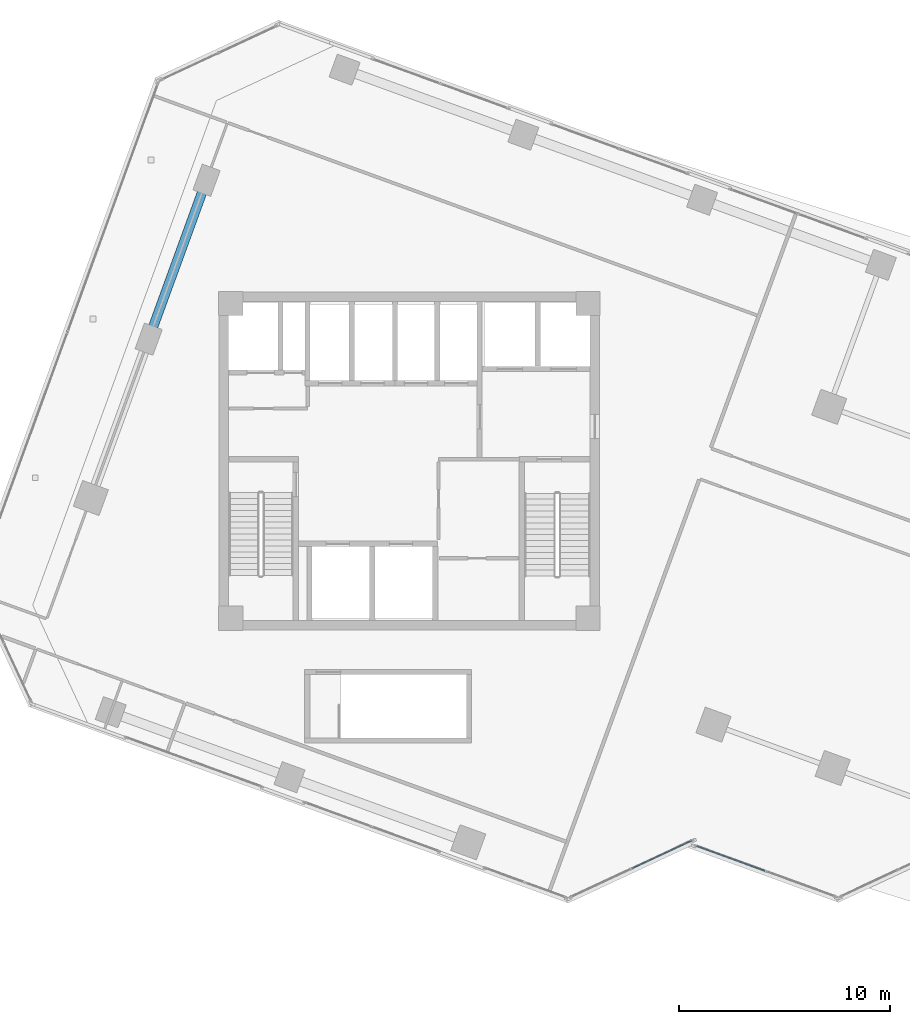
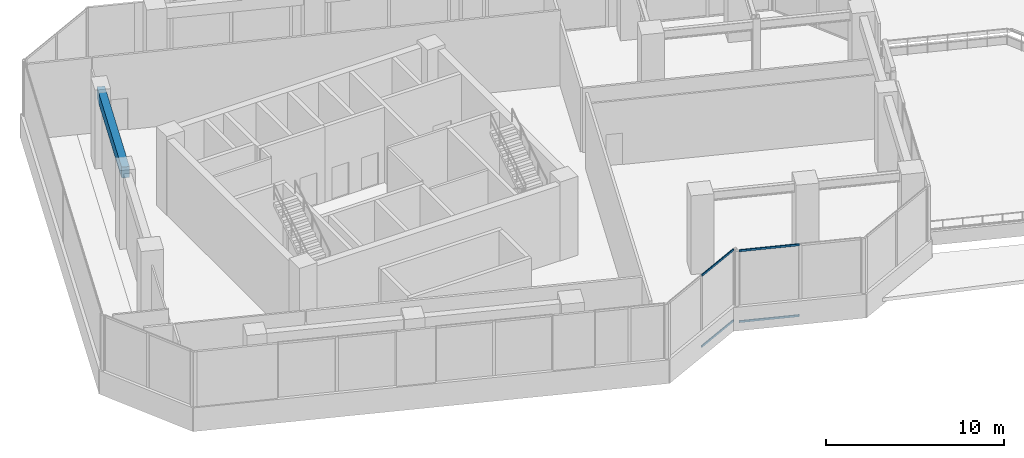
# One storey, part 7 of 21: 4 members, 1 beam, 2 elements without a shape of their own.
"""IFC4 building model written with IfcOpenShell, lengths in metres."""

import ifcopenshell
import ifcopenshell.guid

model = None  # the IFC model being written
_history = None  # IfcOwnerHistory: only IFC2X3 demands one
_inside = {}  # id of a spatial element -> (the spatial element, [elements in it])
_under = {}  # id of a project, library or spatial element -> (it, [spatial elements below it])
_declared = {}  # id of a project -> (the project, [libraries it declares])
_typed = {}  # id of a type object -> (the type object, [elements of that type])
_made_of = {}  # id of a material, layer set ... -> (it, [elements and type objects made of it])


def new_model(schema):
    """Start an empty IFC model of exactly this schema.

    Asked for "IFC4X3", IfcOpenShell would pick the latest addendum, in which some entities
    have other attributes; the version numbers below select the first issue.
    IFC2X3 requires an IfcOwnerHistory on every rooted entity: one is made here for all.
    """
    global model, _history
    if schema == "IFC4X3":
        model = ifcopenshell.file(schema_version=(4, 3, 0, 0))
    else:
        model = ifcopenshell.file(schema=schema)
    _inside.clear()
    _under.clear()
    _declared.clear()
    _typed.clear()
    _made_of.clear()
    _history = None
    if model.schema == "IFC2X3":
        org = make("IfcOrganization", Name="unknown")
        user = make(
            "IfcPersonAndOrganization",
            ThePerson=make("IfcPerson", FamilyName="unknown"),
            TheOrganization=org,
        )
        app = make(
            "IfcApplication",
            ApplicationDeveloper=org,
            Version="unknown",
            ApplicationFullName="unknown",
            ApplicationIdentifier="unknown",
        )
        _history = make(
            "IfcOwnerHistory",
            OwningUser=user,
            OwningApplication=app,
            ChangeAction="ADDED",
            CreationDate=0,
        )
    return model


def make(cls, **values):
    """One entity of the class cls with the attributes given. An attribute that is None is left unset."""
    return model.create_entity(
        cls, **{name: value for name, value in values.items() if value is not None}
    )


def rooted(cls, **values):
    """An entity with a GlobalId (a new one), such as an element, a storey or a relation."""
    return make(cls, GlobalId=ifcopenshell.guid.new(), OwnerHistory=_history, **values)


def si_unit(unit_type, name, prefix=None):
    """IfcSIUnit, for example si_unit("LENGTHUNIT", "METRE", prefix="MILLI")."""
    return make("IfcSIUnit", UnitType=unit_type, Prefix=prefix, Name=name)


def assignment(units):
    """IfcUnitAssignment: the units of a project."""
    return None if units is None else make("IfcUnitAssignment", Units=units)


def point(xyz):
    """IfcCartesianPoint."""
    return None if xyz is None else make("IfcCartesianPoint", Coordinates=xyz)


def direction(xyz):
    """IfcDirection."""
    return None if xyz is None else make("IfcDirection", DirectionRatios=xyz)


def frame(location, z_axis=None, x_axis=None):
    """IfcAxis2Placement3D, a coordinate frame: its origin and axes. An axis left out is left unset."""
    return make(
        "IfcAxis2Placement3D",
        Location=point(location),
        Axis=direction(z_axis),
        RefDirection=direction(x_axis),
    )


def frame_2d(location, x_axis=None):
    """IfcAxis2Placement2D, a coordinate frame in the plane: its origin and x axis."""
    return make(
        "IfcAxis2Placement2D", Location=point(location), RefDirection=direction(x_axis)
    )


def origin():
    """The frame at (0, 0, 0) with its axes left unset."""
    return frame((0.0, 0.0, 0.0))


def origin_2d():
    """The frame at (0, 0) in the plane with its x axis left unset."""
    return frame_2d((0.0, 0.0))


def place(relative_to, where):
    """IfcLocalPlacement: puts the frame where relative to a parent placement (None: the world)."""
    return make(
        "IfcLocalPlacement", PlacementRelTo=relative_to, RelativePlacement=where
    )


def context(
    kind, dimensions, precision=None, world=None, true_north=None, identifier=None
):
    """IfcGeometricRepresentationContext, for example the 3D "Model" context."""
    return make(
        "IfcGeometricRepresentationContext",
        ContextIdentifier=identifier,
        ContextType=kind,
        CoordinateSpaceDimension=dimensions,
        Precision=precision,
        WorldCoordinateSystem=world,
        TrueNorth=true_north,
    )


def subcontext(parent, identifier, kind, view, scale=None):
    """IfcGeometricRepresentationSubContext, for example "Body" below "Model"."""
    return make(
        "IfcGeometricRepresentationSubContext",
        ContextIdentifier=identifier,
        ContextType=kind,
        ParentContext=parent,
        TargetScale=scale,
        TargetView=view,
    )


def project(units=None, contexts=None):
    """IfcProject with its units and contexts."""
    return rooted(
        "IfcProject",
        Name="project",
        RepresentationContexts=contexts,
        UnitsInContext=assignment(units),
    )


def spatial(cls, under=None, at=None, **own):
    """A site, building, storey or space (cls), placed at a placement, below another one or the project."""
    s = rooted(cls, ObjectPlacement=at, **own)
    if under is not None:
        _under.setdefault(under.id(), (under, []))[1].append(s)
    return s


def profile(cls, at=None, kind="AREA", **sizes):
    """A parametric profile (cls). Its sizes go by their IFC names, for example OverallWidth=200.0."""
    return make(cls, ProfileType=kind, Position=at, **sizes)


def rectangle(**sizes):
    """IfcRectangleProfileDef."""
    return profile("IfcRectangleProfileDef", **sizes)


def hollow_rectangle(**sizes):
    """IfcRectangleHollowProfileDef."""
    return profile("IfcRectangleHollowProfileDef", **sizes)


def extrude(swept, where, along, depth):
    """IfcExtrudedAreaSolid: the profile swept, set in the frame where, extruded along a direction by depth."""
    return make(
        "IfcExtrudedAreaSolid",
        SweptArea=swept,
        Position=where,
        ExtrudedDirection=direction(along),
        Depth=depth,
    )


def shape(context_of_items, identifier, shape_type, items):
    """IfcShapeRepresentation: the items that make up one representation, for example the "Body"."""
    return make(
        "IfcShapeRepresentation",
        ContextOfItems=context_of_items,
        RepresentationIdentifier=identifier,
        RepresentationType=shape_type,
        Items=items,
    )


def source(mapping_origin, context_of_items, identifier, shape_type, items):
    """IfcRepresentationMap: a shape defined once, which mapped items show again and again."""
    return make(
        "IfcRepresentationMap",
        MappingOrigin=mapping_origin,
        MappedRepresentation=shape(context_of_items, identifier, shape_type, items),
    )


def transform(
    local_origin,
    x_axis=None,
    y_axis=None,
    z_axis=None,
    scale=None,
    scale2=None,
    scale3=None,
    uniform=True,
):
    """IfcCartesianTransformationOperator3D, or its non-uniform kind. x_axis, y_axis, z_axis: its Axis1, 2, 3."""
    if uniform:
        return make(
            "IfcCartesianTransformationOperator3D",
            Axis1=direction(x_axis),
            Axis2=direction(y_axis),
            LocalOrigin=point(local_origin),
            Scale=scale,
            Axis3=direction(z_axis),
        )
    return make(
        "IfcCartesianTransformationOperator3DnonUniform",
        Axis1=direction(x_axis),
        Axis2=direction(y_axis),
        LocalOrigin=point(local_origin),
        Scale=scale,
        Axis3=direction(z_axis),
        Scale2=scale2,
        Scale3=scale3,
    )


def mapped(mapping_source, mapping_target):
    """IfcMappedItem: shows the shape of a source again, moved by a transform."""
    return make(
        "IfcMappedItem", MappingSource=mapping_source, MappingTarget=mapping_target
    )


def material(Name=None, Category=None):
    """IfcMaterial."""
    return make("IfcMaterial", Name=Name, Category=Category)


def material_profile(
    of_material, cross_section, Name=None, Category=None, Priority=None
):
    """IfcMaterialProfile: a cross section and its material."""
    return make(
        "IfcMaterialProfile",
        Name=Name,
        Material=of_material,
        Profile=cross_section,
        Priority=Priority,
        Category=Category,
    )


def profile_set(profiles, Name=None, composite=None):
    """IfcMaterialProfileSet."""
    return make(
        "IfcMaterialProfileSet",
        Name=Name,
        MaterialProfiles=profiles,
        CompositeProfile=composite,
    )


def made_of(thing, what):
    """Note that an element or type object is made of a material, layer set ...; save() writes the relation."""
    if what is not None:
        _made_of.setdefault(what.id(), (what, []))[1].append(thing)
    return thing


def type_object(cls, material=None, **own):
    """A type object (cls), such as IfcWallType, which elements share."""
    return made_of(rooted(cls, **own), material)


def element(
    cls,
    number,
    at=None,
    inside=None,
    cuts=None,
    type_object=None,
    material=None,
    context=None,
    identifier="Body",
    shape_type=None,
    held_by="IfcProductDefinitionShape",
    body=None,
    shapes=None,
    **own,
):
    """One element of the class cls, such as IfcWall. Its Tag is "e" and its number.

    at: its placement. inside: the storey or other place that contains it. cuts: it is an
    opening in that element (IfcRelVoidsElement). A single representation is given by context,
    identifier, shape_type and body (its items); several are given by shapes. held_by: the class
    of the entity that holds the representations. save() writes the other relations.
    """
    e = rooted(cls, Tag="e%d" % number, ObjectPlacement=at, **own)
    if body is not None:
        shapes = [shape(context, identifier, shape_type, body)]
    if shapes is not None:
        e.Representation = make(held_by, Representations=shapes)
    if inside is not None:
        _inside.setdefault(inside.id(), (inside, []))[1].append(e)
    if cuts is not None:
        rooted(
            "IfcRelVoidsElement", RelatingBuildingElement=cuts, RelatedOpeningElement=e
        )
    if type_object is not None:
        _typed.setdefault(type_object.id(), (type_object, []))[1].append(e)
    return made_of(e, material)


def aggregate(whole, parts):
    """IfcRelAggregates: a whole, such as a stair, and the parts it consists of."""
    return rooted("IfcRelAggregates", RelatingObject=whole, RelatedObjects=parts)


def save(model, path):
    """Write the relations noted so far, then the file.

    IfcRelAggregates (storeys below a building ...), IfcRelContainedInSpatialStructure (elements
    in a storey), IfcRelDefinesByType, IfcRelAssociatesMaterial and IfcRelDeclares: one each for
    every whole, place, type object, material and project.
    """
    for whole, parts in _under.values():
        aggregate(whole, parts)
    for where, things in _inside.values():
        rooted(
            "IfcRelContainedInSpatialStructure",
            RelatedElements=things,
            RelatingStructure=where,
        )
    for kind, things in _typed.values():
        rooted("IfcRelDefinesByType", RelatedObjects=things, RelatingType=kind)
    for what, things in _made_of.values():
        rooted("IfcRelAssociatesMaterial", RelatedObjects=things, RelatingMaterial=what)
    for by, libraries in _declared.values():
        rooted("IfcRelDeclares", RelatingContext=by, RelatedDefinitions=libraries)
    model.write(path)


model = new_model("IFC4")

# Units and contexts
model_context = context("Model", 3, precision=1e-05, world=origin(), true_north=direction((0.0, 1.0)))
body_context = subcontext(model_context, "Body", "Model", "MODEL_VIEW")
ifc_project = project(units=[si_unit("LENGTHUNIT", "METRE"), si_unit("AREAUNIT", "SQUARE_METRE"), si_unit("VOLUMEUNIT", "CUBIC_METRE"), si_unit("PLANEANGLEUNIT", "RADIAN"), si_unit("MASSUNIT", "GRAM", prefix="KILO")], contexts=[model_context])

# Site, building, storey
site_placement = place(None, origin())
site = spatial("IfcSite", under=ifc_project, at=site_placement, CompositionType="ELEMENT")
building_placement = place(site_placement, origin())
building = spatial("IfcBuilding", under=site, at=building_placement, Name="Torre Montelarca", CompositionType="ELEMENT")
storey_placement = place(building_placement, frame((0.0, 0.0, 127.60009765625)))
storey = spatial("IfcBuildingStorey", under=building, at=storey_placement, Name="L28", CompositionType="ELEMENT", Elevation=127.60009765625)

# Beam
ifc_material_1 = material(Name="Concrete C55/67", Category="concrete")
ifc_material_profile_1 = material_profile(ifc_material_1, rectangle(XDim=0.449951171875, YDim=0.75, at=origin_2d()), Name="RCB450X750", Category="concrete")
ifc_profile_set_1 = profile_set([ifc_material_profile_1], Name="Concrete C55/67")
beam_type = type_object("IfcBeamType", Name="BM-SP-RC750-EXT", PredefinedType="SPANDREL", material=ifc_profile_set_1)
shared_shape_1 = source(origin(), body_context, "Body", "SweptSolid", [
    extrude(rectangle(XDim=0.449951171875, YDim=0.75, at=origin_2d()), origin(), (0.0, 0.0, 1.0), 8.0),
])
beam_placement = place(storey_placement, frame((5.666259765625, 37.762939453125, 4.784912109375), z_axis=(0.342010133499, 0.939696264005, 0.0), x_axis=(-0.939696264005, 0.342010133499, 0.0)))
element("IfcBeam", 1, at=beam_placement, inside=storey, type_object=beam_type, Name="L28 Grid Girder Y 32.0-40.0 at X=4.7", PredefinedType="SPANDREL", context=body_context, shape_type="MappedRepresentation", body=[
    mapped(shared_shape_1, transform((0.0, 0.0, 0.0), scale=1.0)),
])

# Curtain wall, members
ifc_material_2 = material(Name="Insulated low-E laminated glass", Category="glass")
curtain_wall_type = type_object("IfcCurtainWallType", Name="CW-SYS-Z2", PredefinedType="USERDEFINED", material=ifc_material_2)
curtain_wall_1_placement = place(storey_placement, origin())
curtain_wall_1 = element("IfcCurtainWall", 2, at=curtain_wall_1_placement, inside=storey, type_object=curtain_wall_type, Name="L28 Curtain Wall Run CW-T3-L28-E02-B1", ObjectType="UNITISED GLAZING", PredefinedType="USERDEFINED")
ifc_material_3 = material(Name="Anodised aluminium AA 6063-T6", Category="aluminium")
ifc_material_profile_2 = material_profile(ifc_material_3, hollow_rectangle(XDim=0.06494140625, YDim=0.139892578125, WallThickness=0.00390625, InnerFilletRadius=0.00390625, OuterFilletRadius=0.008056640625, at=origin_2d()), Name="ALU65X140X4", Category="aluminium")
ifc_profile_set_2 = profile_set([ifc_material_profile_2], Name="Anodised aluminium AA 6063-T6")
member_type = type_object("IfcMemberType", Name="CWT-ALU140", PredefinedType="USERDEFINED", material=ifc_profile_set_2)
shared_shape_2 = source(origin(), body_context, "Body", "SweptSolid", [
    extrude(hollow_rectangle(XDim=0.06494140625, YDim=0.139892578125, WallThickness=0.00390625, InnerFilletRadius=0.00390625, OuterFilletRadius=0.008056640625, at=origin_2d()), origin(), (0.0, 0.0, 1.0), 3.102294921875),
])
member_1_placement = place(storey_placement, frame((28.54296875, 12.7236328125, 0.032470703125), z_axis=(0.906321811417, 0.422588185058, 0.0), x_axis=(-0.422588185058, 0.906321811417, 0.0)))
member_1 = element("IfcMember", 3, at=member_1_placement, type_object=member_type, Name="CW transom 2.1", ObjectType="TRANSOM", PredefinedType="USERDEFINED", context=body_context, shape_type="MappedRepresentation", body=[
    mapped(shared_shape_2, transform((0.0, 0.0, 0.0), scale=1.0)),
])
member_2_placement = place(storey_placement, frame((28.54296875, 12.7236328125, 4.887451171875), z_axis=(0.906321811417, 0.422588185058, 0.0), x_axis=(-0.422588185058, 0.906321811417, 0.0)))
member_2 = element("IfcMember", 4, at=member_2_placement, type_object=member_type, Name="CW transom 2.2", ObjectType="TRANSOM", PredefinedType="USERDEFINED", context=body_context, shape_type="MappedRepresentation", body=[
    mapped(shared_shape_2, transform((0.0, 0.0, 0.0), scale=1.0)),
])
aggregate(curtain_wall_1, [member_1, member_2])

curtain_wall_2_placement = place(storey_placement, origin())
curtain_wall_2 = element("IfcCurtainWall", 5, at=curtain_wall_2_placement, inside=storey, type_object=curtain_wall_type, Name="L28 Curtain Wall Run CW-T3-L28-E04-B1", ObjectType="UNITISED GLAZING", PredefinedType="USERDEFINED")
shared_shape_3 = source(origin(), body_context, "Body", "SweptSolid", [
    extrude(hollow_rectangle(XDim=0.06494140625, YDim=0.139892578125, WallThickness=0.00390625, InnerFilletRadius=0.00390625, OuterFilletRadius=0.008056640625, at=origin_2d()), origin(), (0.0, 0.0, 1.0), 3.448486328125),
])
member_3_placement = place(storey_placement, frame((31.58447265625, 13.7822265625, 0.032470703125), z_axis=(0.939692095614, -0.342021586221, 0.0), x_axis=(0.342021586221, 0.939692095614, 0.0)))
member_3 = element("IfcMember", 6, at=member_3_placement, type_object=member_type, Name="CW transom 1.1", ObjectType="TRANSOM", PredefinedType="USERDEFINED", context=body_context, shape_type="MappedRepresentation", body=[
    mapped(shared_shape_3, transform((0.0, 0.0, 0.0), scale=1.0)),
])
member_4_placement = place(storey_placement, frame((31.58447265625, 13.7822265625, 4.887451171875), z_axis=(0.939692095614, -0.342021586221, 0.0), x_axis=(0.342021586221, 0.939692095614, 0.0)))
member_4 = element("IfcMember", 7, at=member_4_placement, type_object=member_type, Name="CW transom 1.2", ObjectType="TRANSOM", PredefinedType="USERDEFINED", context=body_context, shape_type="MappedRepresentation", body=[
    mapped(shared_shape_3, transform((0.0, 0.0, 0.0), scale=1.0)),
])
aggregate(curtain_wall_2, [member_3, member_4])

save(model, "model.ifc")
